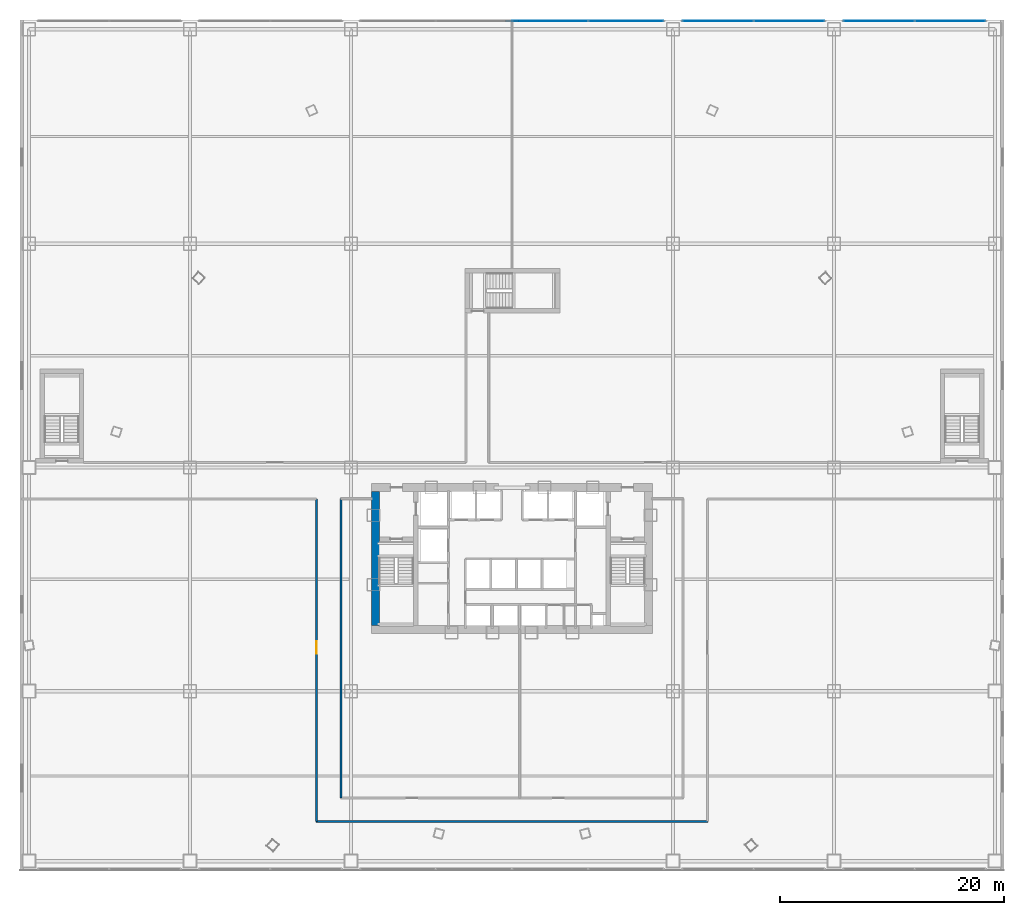
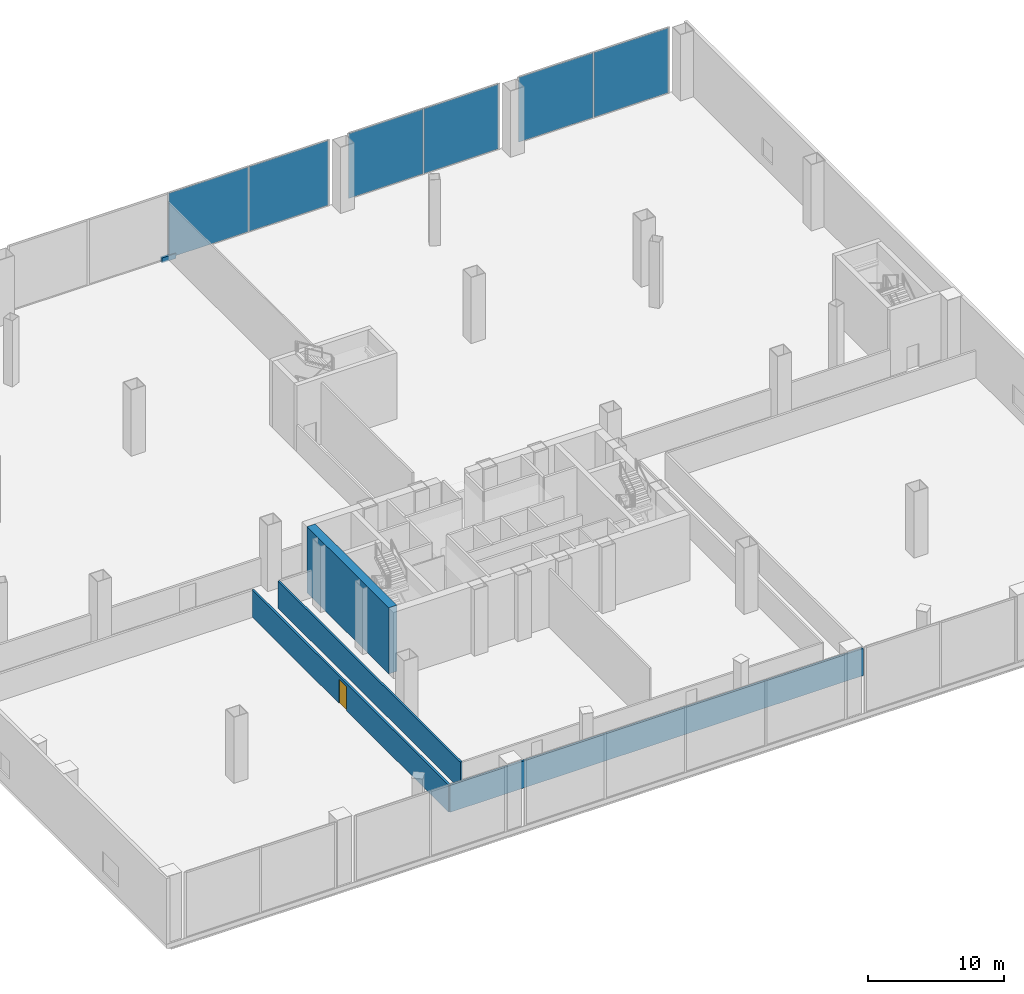
# One storey, part 33 of 41: 7 plates, 4 walls, 1 door, 1 opening, 3 elements without a shape of their own.
"""IFC4 building model written with IfcOpenShell, lengths in metres."""

from ifc_helpers import new_model, si_unit, direction, frame, frame_2d, origin, origin_with_axes, origin_2d, place, context, subcontext, project, spatial, rectangle, extrude, source, transform, mapped, material, layer, layer_set, type_object, element, fill, aggregate, save


model = new_model("IFC4")

# Units and contexts
model_context = context("Model", 3, precision=1e-05, world=origin(), true_north=direction((0.0, 1.0)))
body_context = subcontext(model_context, "Body", "Model", "MODEL_VIEW")
ifc_project = project(units=[si_unit("LENGTHUNIT", "METRE"), si_unit("AREAUNIT", "SQUARE_METRE"), si_unit("VOLUMEUNIT", "CUBIC_METRE"), si_unit("PLANEANGLEUNIT", "RADIAN"), si_unit("MASSUNIT", "GRAM", prefix="KILO"), si_unit("THERMODYNAMICTEMPERATUREUNIT", "KELVIN"), si_unit("POWERUNIT", "WATT")], contexts=[model_context])

# Site, building, storey
site_placement = place(None, origin())
site = spatial("IfcSite", under=ifc_project, at=site_placement, CompositionType="ELEMENT")
building_placement = place(site_placement, origin())
building = spatial("IfcBuilding", under=site, at=building_placement, Name="Yunzhuo Pagoda Commons", CompositionType="ELEMENT")
storey_placement = place(building_placement, frame((0.0, 0.0, 19.199951171875)))
storey = spatial("IfcBuildingStorey", under=building, at=storey_placement, Name="L05", CompositionType="ELEMENT", Elevation=19.199951171875)

# Plate
ifc_material_1 = material(Name="Anodized aluminium 6063-T6", Category="aluminium")
ifc_layer_1 = layer(ifc_material_1, 0.011962890625)
ifc_layer_set_1 = layer_set([ifc_layer_1], Name="Anodized aluminium 6063-T6")
plate_type_1 = type_object("IfcPlateType", Name="PL-CLOS1 Spandrel Closure Sheet", PredefinedType="SHEET", material=ifc_layer_set_1)
shared_shape_1 = source(origin(), body_context, "Body", "SweptSolid", [
    extrude(rectangle(XDim=1.199951171875, YDim=0.199951171875, at=origin_2d()), origin(), (0.0, 0.0, 1.0), 0.449951171875),
])
plate_1_placement = place(storey_placement, frame((48.0, 81.919921875, -0.125), z_axis=(0.0, 0.0, 1.0), x_axis=(1.0, 0.0, 0.0)))
element("IfcPlate", 1, at=plate_1_placement, inside=storey, type_object=plate_type_1, Name="L05 spandrel closure sheet", PredefinedType="SHEET", context=body_context, shape_type="MappedRepresentation", body=[
    mapped(shared_shape_1, transform((0.0, 0.0, 0.0), scale=1.0)),
])

# Curtain wall, plates
ifc_layer_2 = layer(ifc_material_1, 0.179931640625)
ifc_layer_set_2 = layer_set([ifc_layer_2], Name="Anodized aluminium 6063-T6")
curtain_wall_type = type_object("IfcCurtainWallType", Name="CW-POD Waterfront Podium Curtain Wall", PredefinedType="NOTDEFINED", material=ifc_layer_set_2)
curtain_wall_1_placement = place(storey_placement, origin())
curtain_wall_1 = element("IfcCurtainWall", 2, at=curtain_wall_1_placement, inside=storey, type_object=curtain_wall_type, Name="L05 curtain wall CW-L05-N4", PredefinedType="NOTDEFINED")
ifc_material_2 = material(Name="Tempered low-e double glazing", Category="glass")
ifc_layer_3 = layer(ifc_material_2, 0.031982421875)
ifc_layer_set_3 = layer_set([ifc_layer_3], Name="Tempered low-e double glazing")
plate_type_2 = type_object("IfcPlateType", Name="CW-POD-P Low-E Double Glazing 32", PredefinedType="CURTAIN_PANEL", material=ifc_layer_set_3)
shared_shape_2 = source(origin(), body_context, "Body", "SweptSolid", [
    extrude(rectangle(XDim=6.302490234375, YDim=0.028076171875, at=origin_2d()), origin(), (0.0, 0.0, 1.0), 5.800048828125),
])
plate_2_placement = place(storey_placement, frame((66.416259765625, 81.919921875, 0.06005859375), z_axis=(0.0, 0.0, 1.0), x_axis=(1.0, 0.0, 0.0)))
plate_2 = element("IfcPlate", 3, at=plate_2_placement, type_object=plate_type_2, Name="CW panel 1.1", PredefinedType="CURTAIN_PANEL", context=body_context, shape_type="MappedRepresentation", body=[
    mapped(shared_shape_2, transform((0.0, 0.0, 0.0), scale=1.0)),
])
plate_3_placement = place(storey_placement, frame((72.78369140625, 81.919921875, 0.06005859375), z_axis=(0.0, 0.0, 1.0), x_axis=(1.0, 0.0, 0.0)))
plate_3 = element("IfcPlate", 4, at=plate_3_placement, type_object=plate_type_2, Name="CW panel 2.1", PredefinedType="CURTAIN_PANEL", context=body_context, shape_type="MappedRepresentation", body=[
    mapped(shared_shape_2, transform((0.0, 0.0, 0.0), scale=1.0)),
])
aggregate(curtain_wall_1, [plate_2, plate_3])

curtain_wall_2_placement = place(storey_placement, origin())
curtain_wall_2 = element("IfcCurtainWall", 5, at=curtain_wall_2_placement, inside=storey, type_object=curtain_wall_type, Name="L05 curtain wall CW-L05-N5", PredefinedType="NOTDEFINED")
plate_4_placement = place(storey_placement, frame((80.816162109375, 81.919921875, 0.06005859375), z_axis=(0.0, 0.0, 1.0), x_axis=(1.0, 0.0, 0.0)))
plate_4 = element("IfcPlate", 6, at=plate_4_placement, type_object=plate_type_2, Name="CW panel 1.1", PredefinedType="CURTAIN_PANEL", context=body_context, shape_type="MappedRepresentation", body=[
    mapped(shared_shape_2, transform((0.0, 0.0, 0.0), scale=1.0)),
])
plate_5_placement = place(storey_placement, frame((87.183837890625, 81.919921875, 0.06005859375), z_axis=(0.0, 0.0, 1.0), x_axis=(1.0, 0.0, 0.0)))
plate_5 = element("IfcPlate", 7, at=plate_5_placement, type_object=plate_type_2, Name="CW panel 2.1", PredefinedType="CURTAIN_PANEL", context=body_context, shape_type="MappedRepresentation", body=[
    mapped(shared_shape_2, transform((0.0, 0.0, 0.0), scale=1.0)),
])
aggregate(curtain_wall_2, [plate_4, plate_5])

curtain_wall_3_placement = place(storey_placement, origin())
curtain_wall_3 = element("IfcCurtainWall", 8, at=curtain_wall_3_placement, inside=storey, type_object=curtain_wall_type, Name="L05 curtain wall CW-L05-N3", PredefinedType="NOTDEFINED")
shared_shape_3 = source(origin(), body_context, "Body", "SweptSolid", [
    extrude(rectangle(XDim=6.702392578125, YDim=0.028076171875, at=origin_2d()), origin(), (0.0, 0.0, 1.0), 5.800048828125),
])
plate_6_placement = place(storey_placement, frame((58.183837890625, 81.919921875, 0.06005859375), z_axis=(0.0, 0.0, 1.0), x_axis=(1.0, 0.0, 0.0)))
plate_6 = element("IfcPlate", 9, at=plate_6_placement, type_object=plate_type_2, Name="CW panel 4.1", PredefinedType="CURTAIN_PANEL", context=body_context, shape_type="MappedRepresentation", body=[
    mapped(shared_shape_3, transform((0.0, 0.0, 0.0), scale=1.0)),
])
shared_shape_4 = source(origin(), body_context, "Body", "SweptSolid", [
    extrude(rectangle(XDim=6.735107421875, YDim=0.028076171875, at=origin_2d()), origin(), (0.0, 0.0, 1.0), 5.800048828125),
])
plate_7_placement = place(storey_placement, frame((51.39990234375, 81.919921875, 0.06005859375), z_axis=(0.0, 0.0, 1.0), x_axis=(1.0, 0.0, 0.0)))
plate_7 = element("IfcPlate", 10, at=plate_7_placement, type_object=plate_type_2, Name="CW panel 3.1", PredefinedType="CURTAIN_PANEL", context=body_context, shape_type="MappedRepresentation", body=[
    mapped(shared_shape_4, transform((0.0, 0.0, 0.0), scale=1.0)),
])
aggregate(curtain_wall_3, [plate_7, plate_6])

# Walls
ifc_material_3 = material(Name="Concrete C60", Category="concrete")
ifc_layer_4 = layer(ifc_material_3, 0.699951171875)
ifc_layer_set_4 = layer_set([ifc_layer_4], Name="Concrete C60")
wall_type_1 = type_object("IfcWallType", Name="W-C01 Lower Core Shear Wall 700", PredefinedType="SHEAR", material=ifc_layer_set_4)
wall_1_placement = place(storey_placement, frame((35.800048828125, 27.85009765625, 0.0), z_axis=(0.0, 0.0, 1.0), x_axis=(0.0, 1.0, 0.0)))
element("IfcWall", 11, at=wall_1_placement, inside=storey, type_object=wall_type_1, Name="L05 core shear wall W", PredefinedType="SHEAR", context=body_context, shape_type="SweptSolid", body=[
    extrude(rectangle(XDim=12.0, YDim=0.699951171875, at=frame_2d((6.0, 0.0))), origin(), (0.0, 0.0, 1.0), 5.920166015625),
])
ifc_material_4 = material(Name="Gypsum plasterboard on acoustic stud")
ifc_layer_5 = layer(ifc_material_4, 0.159912109375)
ifc_layer_set_5 = layer_set([ifc_layer_5], Name="Gypsum plasterboard on acoustic stud")
wall_type_2 = type_object("IfcWallType", Name="W-COR1 Tower Rated Corridor Wall 160", PredefinedType="PARTITIONING", material=ifc_layer_set_5)
wall_2_placement = place(storey_placement, frame((30.5, 10.35009765625, 0.0), z_axis=(0.0, 0.0, 1.0), x_axis=(1.0, 0.0, 0.0)))
element("IfcWall", 12, at=wall_2_placement, inside=storey, type_object=wall_type_2, Name="L05 interior wall IW-L05-PSOUT", PredefinedType="PARTITIONING", context=body_context, shape_type="SweptSolid", body=[
    extrude(rectangle(XDim=35.0, YDim=0.159912109375, at=frame_2d((17.5, 0.0))), origin(), (0.0, 0.0, 1.0), 2.420166015625),
])
wall_3_placement = place(storey_placement, frame((32.699951171875, 12.449951171875, 0.0), z_axis=(0.0, 0.0, 1.0), x_axis=(0.0, 1.0, 0.0)))
element("IfcWall", 13, at=wall_3_placement, inside=storey, type_object=wall_type_2, Name="L05 interior wall IW-L05-PSMW", PredefinedType="PARTITIONING", context=body_context, shape_type="SweptSolid", body=[
    extrude(rectangle(XDim=26.75, YDim=0.159912109375, at=frame_2d((13.375, 0.0))), origin(), (0.0, 0.0, 1.0), 2.420166015625),
])

# Wall, opening, door
ifc_layer_6 = layer(ifc_material_4, 0.179931640625)
ifc_layer_set_6 = layer_set([ifc_layer_6], Name="Gypsum plasterboard on acoustic stud")
wall_type_3 = type_object("IfcWallType", Name="W-PRT2 Acoustic Unit Demising Wall 180", PredefinedType="PARTITIONING", material=ifc_layer_set_6)
wall_4_placement = place(storey_placement, frame((30.5, 10.35009765625, 0.0), z_axis=(0.0, 0.0, 1.0), x_axis=(0.0, 1.0, 0.0)))
wall_4 = element("IfcWall", 14, at=wall_4_placement, inside=storey, type_object=wall_type_3, Name="L05 interior wall IW-L05-PWEST", PredefinedType="PARTITIONING", context=body_context, shape_type="SweptSolid", body=[
    extrude(rectangle(XDim=28.849853515625, YDim=0.179931640625, at=frame_2d((14.4248046875, 0.0))), origin(), (0.0, 0.0, 1.0), 2.420166015625),
])
opening_placement = place(wall_4_placement, frame((15.0, 0.0, 0.0)))
opening = element("IfcOpeningElement", 15, at=opening_placement, cuts=wall_4, Name="Opening D-09", PredefinedType="OPENING", context=body_context, shape_type="SweptSolid", body=[
    extrude(rectangle(XDim=1.10009765625, YDim=2.14990234375, at=frame_2d((0.550048828125, 1.074951171875))), frame((0.0, 0.10009765625, 0.0), z_axis=(0.0, -1.0, 0.0), x_axis=(1.0, 0.0, 0.0)), (0.0, 0.0, 1.0), 0.199951171875),
])
ifc_material_5 = material(Name="Galvanized fire-resisting metal leaf")
door_type = type_object("IfcDoorType", Name="D-09 Podium Commons Hall Fire Door 1100x2150", OperationType="NOTDEFINED", PredefinedType="DOOR", material=ifc_material_5)
shared_shape_5 = source(origin(), body_context, "Body", "SweptSolid", [
    extrude(rectangle(XDim=1.10009765625, YDim=2.14990234375, at=frame_2d((0.550048828125, 1.074951171875))), frame((0.0, 0.02490234375, 0.0), z_axis=(0.0, -1.0, 0.0), x_axis=(1.0, 0.0, 0.0)), (0.0, 0.0, 1.0), 0.050048828125),
])
door_placement = place(opening_placement, origin_with_axes())
door = element("IfcDoor", 16, at=door_placement, inside=storey, type_object=door_type, Name="L05 Movement and Yoga Studio door", OperationType="SINGLE_SWING_LEFT", OverallHeight=2.14990234375, OverallWidth=1.10009765625, PredefinedType="DOOR", context=body_context, shape_type="MappedRepresentation", body=[
    mapped(shared_shape_5, transform((0.0, 0.0, 0.0), scale=1.0)),
])
fill(opening, door)

save(model, "model.ifc")
